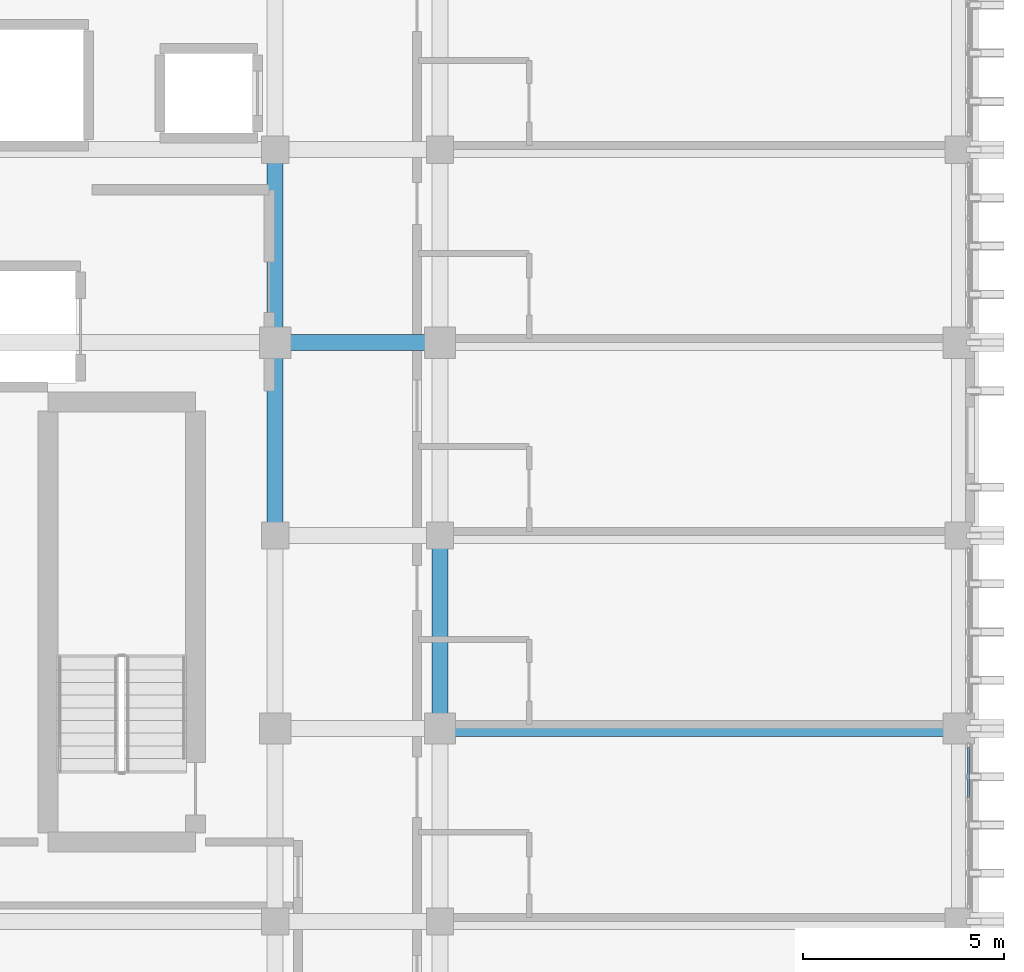
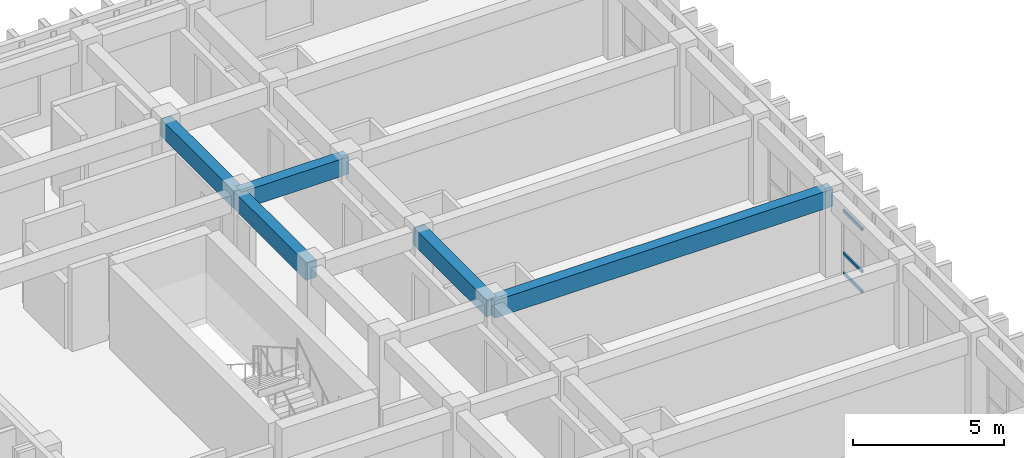
# One storey, part 46 of 68: 5 beams, 3 members, 1 element without a shape of its own.
"""IFC4 building model written with IfcOpenShell, lengths in metres."""

from ifc_helpers import new_model, si_unit, direction, frame, origin, origin_2d, place, context, subcontext, project, spatial, rectangle, hollow_rectangle, extrude, material, layer, layer_set, material_profile, profile_set, type_object, element, aggregate, save


model = new_model("IFC4")

# Units and contexts
model_context = context("Model", 3, precision=1e-05, world=origin(), true_north=direction((0.0, 1.0)))
body_context = subcontext(model_context, "Body", "Model", "MODEL_VIEW")
ifc_project = project(units=[si_unit("LENGTHUNIT", "METRE"), si_unit("AREAUNIT", "SQUARE_METRE"), si_unit("VOLUMEUNIT", "CUBIC_METRE"), si_unit("PLANEANGLEUNIT", "RADIAN"), si_unit("MASSUNIT", "GRAM", prefix="KILO")], contexts=[model_context])

# Site, building, storey
site_placement = place(None, origin())
site = spatial("IfcSite", under=ifc_project, at=site_placement, CompositionType="ELEMENT")
building_placement = place(site_placement, origin())
building = spatial("IfcBuilding", under=site, at=building_placement, Name="Nakhvara Creek Congress Hotel", CompositionType="ELEMENT")
storey_placement = place(building_placement, frame((0.0, 0.0, 24.60009765625)))
storey = spatial("IfcBuildingStorey", under=building, at=storey_placement, Name="L05", CompositionType="ELEMENT", Elevation=24.60009765625)

# Beams
ifc_material_1 = material(Name="Concrete C40/50", Category="concrete")
ifc_material_profile_1 = material_profile(ifc_material_1, rectangle(XDim=0.39990234375, YDim=0.699951171875, at=origin_2d()), Name="RC-BM 400x700", Category="LoadBearing")
ifc_profile_set_1 = profile_set([ifc_material_profile_1], Name="Concrete C40/50")
beam_type = type_object("IfcBeamType", Name="BM-RC-400X700", PredefinedType="BEAM", material=ifc_profile_set_1)
beam_1_placement = place(storey_placement, frame((162.35009765625, 115.199951171875, 2.989990234375), z_axis=(1.0, 0.0, 0.0), x_axis=(0.0, 1.0, 0.0)))
element("IfcBeam", 1, at=beam_1_placement, inside=storey, type_object=beam_type, Name="Beam B05-L05-2113", PredefinedType="BEAM", context=body_context, shape_type="SweptSolid", body=[
    extrude(rectangle(XDim=0.39990234375, YDim=0.699951171875, at=origin_2d()), origin(), (0.0, 0.0, 1.0), 4.099853515625),
])
for number, where, z_axis, x_axis, name in (
    (2, (162.35009765625, 110.39990234375, 2.989990234375), (0.0, 1.0, 0.0), (-1.0, 0.0, 0.0), "Beam B05-L05-2114"),
    (3, (162.35009765625, 115.199951171875, 2.989990234375), (0.0, 1.0, 0.0), (-1.0, 0.0, 0.0), "Beam B05-L05-2115"),
):
    element("IfcBeam", number, at=place(storey_placement, frame(where, z_axis=z_axis, x_axis=x_axis)), inside=storey, type_object=beam_type, Name=name, PredefinedType="BEAM", context=body_context, shape_type="SweptSolid", body=[
        extrude(rectangle(XDim=0.39990234375, YDim=0.699951171875, at=origin_2d()), origin(), (0.0, 0.0, 1.0), 4.800048828125),
    ])
beam_2_placement = place(storey_placement, frame((166.449951171875, 105.60009765625, 2.989990234375), z_axis=(1.0, 0.0, 0.0), x_axis=(0.0, 1.0, 0.0)))
element("IfcBeam", 4, at=beam_2_placement, inside=storey, type_object=beam_type, Name="Beam B05-L05-2139", PredefinedType="BEAM", context=body_context, shape_type="SweptSolid", body=[
    extrude(rectangle(XDim=0.39990234375, YDim=0.699951171875, at=origin_2d()), origin(), (0.0, 0.0, 1.0), 12.900146484375),
])
beam_3_placement = place(storey_placement, frame((166.449951171875, 105.60009765625, 2.989990234375), z_axis=(0.0, 1.0, 0.0), x_axis=(-1.0, 0.0, 0.0)))
element("IfcBeam", 5, at=beam_3_placement, inside=storey, type_object=beam_type, Name="Beam B05-L05-2141", PredefinedType="BEAM", context=body_context, shape_type="SweptSolid", body=[
    extrude(rectangle(XDim=0.39990234375, YDim=0.699951171875, at=origin_2d()), origin(), (0.0, 0.0, 1.0), 4.7998046875),
])

# Curtain wall, members
ifc_material_2 = material(Name="Bronze-anodised aluminium AW-6063-T6 and double-silver low-E glass", Category="aluminium")
ifc_layer = layer(ifc_material_2, 0.199951171875)
ifc_layer_set = layer_set([ifc_layer], Name="Bronze-anodised aluminium AW-6063-T6 and double-silver low-E glass")
curtain_wall_type = type_object("IfcCurtainWallType", Name="CW-HTL-UNIT", PredefinedType="USERDEFINED", material=ifc_layer_set)
curtain_wall_placement = place(storey_placement, origin())
curtain_wall = element("IfcCurtainWall", 6, at=curtain_wall_placement, inside=storey, type_object=curtain_wall_type, Name="Curtain Wall CW222", ObjectType="UNITISED", PredefinedType="USERDEFINED")
ifc_material_3 = material(Name="Bronze-anodised aluminium AW-6063-T6", Category="aluminium")
ifc_material_profile_2 = material_profile(ifc_material_3, hollow_rectangle(XDim=0.06494140625, YDim=0.1201171875, WallThickness=0.00390625, at=origin_2d()), Name="ALU-TRAN 65x120x4", Category="LoadBearing")
ifc_profile_set_2 = profile_set([ifc_material_profile_2], Name="Bronze-anodised aluminium AW-6063-T6")
member_type = type_object("IfcMemberType", Name="CW-TRAN-120", PredefinedType="USERDEFINED", material=ifc_profile_set_2)
member_1_placement = place(storey_placement, frame((179.60009765625, 105.1298828125, 0.032470703125), z_axis=(0.0, -1.0, 0.0), x_axis=(1.0, 0.0, 0.0)))
member_1 = element("IfcMember", 7, at=member_1_placement, type_object=member_type, Name="CW222 transom 1.1", ObjectType="TRANSOM", PredefinedType="USERDEFINED", context=body_context, shape_type="SweptSolid", body=[
    extrude(hollow_rectangle(XDim=0.06494140625, YDim=0.1201171875, WallThickness=0.00390625, at=origin_2d()), origin(), (0.0, 0.0, 1.0), 1.2490234375),
])
member_2_placement = place(storey_placement, frame((179.60009765625, 105.1298828125, 0.849853515625), z_axis=(0.0, -1.0, 0.0), x_axis=(1.0, 0.0, 0.0)))
member_2 = element("IfcMember", 8, at=member_2_placement, type_object=member_type, Name="CW222 transom 1.2", ObjectType="TRANSOM", PredefinedType="USERDEFINED", context=body_context, shape_type="SweptSolid", body=[
    extrude(hollow_rectangle(XDim=0.06494140625, YDim=0.1201171875, WallThickness=0.00390625, at=origin_2d()), origin(), (0.0, 0.0, 1.0), 1.2490234375),
])
member_3_placement = place(storey_placement, frame((179.60009765625, 105.1298828125, 2.54931640625), z_axis=(0.0, -1.0, 0.0), x_axis=(1.0, 0.0, 0.0)))
member_3 = element("IfcMember", 9, at=member_3_placement, type_object=member_type, Name="CW222 transom 1.3", ObjectType="TRANSOM", PredefinedType="USERDEFINED", context=body_context, shape_type="SweptSolid", body=[
    extrude(hollow_rectangle(XDim=0.06494140625, YDim=0.1201171875, WallThickness=0.00390625, at=origin_2d()), origin(), (0.0, 0.0, 1.0), 1.2490234375),
])
aggregate(curtain_wall, [member_1, member_2, member_3])

save(model, "model.ifc")
